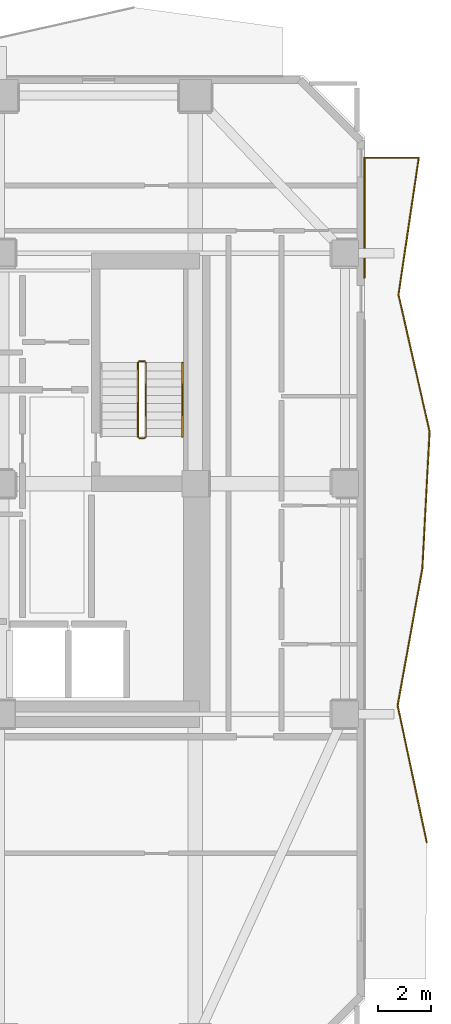
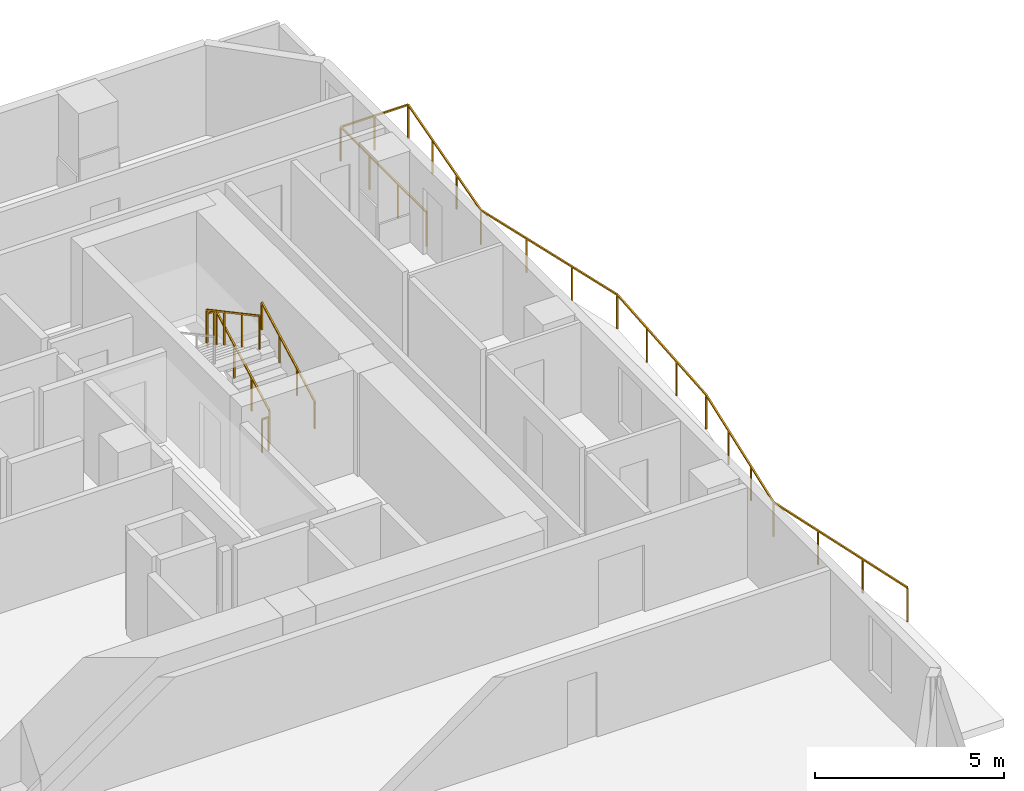
# One storey, part 9 of 10: 6 railings.
"""IFC4 building model written with IfcOpenShell, lengths in metres."""

from ifc_helpers import new_model, si_unit, direction, frame, origin, origin_2d, place, context, subcontext, project, spatial, rectangle, extrude, material, type_object, element, save


model = new_model("IFC4")

# Units and contexts
model_context = context("Model", 3, precision=1e-05, world=origin(), true_north=direction((0.0, 1.0)))
body_context = subcontext(model_context, "Body", "Model", "MODEL_VIEW")
ifc_project = project(units=[si_unit("LENGTHUNIT", "METRE"), si_unit("AREAUNIT", "SQUARE_METRE"), si_unit("VOLUMEUNIT", "CUBIC_METRE"), si_unit("PLANEANGLEUNIT", "RADIAN"), si_unit("MASSUNIT", "GRAM", prefix="KILO")], contexts=[model_context])

# Site, building, storey
site_placement = place(None, origin())
site = spatial("IfcSite", under=ifc_project, at=site_placement, CompositionType="ELEMENT")
building_placement = place(site_placement, origin())
building = spatial("IfcBuilding", under=site, at=building_placement, Name="Solanera Arch Residences", CompositionType="ELEMENT")
storey_placement = place(building_placement, frame((0.0, 0.0, 122.679931640625)))
storey = spatial("IfcBuildingStorey", under=building, at=storey_placement, Name="L35", CompositionType="ELEMENT", Elevation=122.679931640625)

# Railings
ifc_material_1 = material(Name="Steel S355 (ASTM A992 / A572 Grade 50)", Category="steel")
railing_type_1 = type_object("IfcRailingType", Name="Balustrade Railing BL-1100", PredefinedType="BALUSTRADE", material=ifc_material_1)
railing_1_placement = place(storey_placement, frame((45.23388671875, 17.1669921875, 0.0)))
element("IfcRailing", 1, at=railing_1_placement, inside=storey, type_object=railing_type_1, Name="L35 E Balcony Balustrade 1", PredefinedType="BALUSTRADE", context=body_context, shape_type="SweptSolid", body=[
    extrude(rectangle(XDim=0.048095703125, YDim=0.048095703125, at=origin_2d()), frame((0.0, 0.0, 1.09619140625), z_axis=(-0.207880870435, 0.978154151301, 0.0), x_axis=(-0.978154151301, -0.207880870435, 0.0)), (0.0, 0.0, 1.0), 5.281494140625),
    extrude(rectangle(XDim=0.048095703125, YDim=0.048095703125, at=origin_2d()), frame((-1.097900390625, 5.166015625, 1.09619140625), z_axis=(0.177534925495, 0.984114500569, 0.0), x_axis=(-0.984114500569, 0.177534925495, 0.0)), (0.0, 0.0, 1.0), 5.25048828125),
    extrude(rectangle(XDim=0.048095703125, YDim=0.048095703125, at=origin_2d()), frame((-0.165771484375, 10.3330078125, 1.09619140625), z_axis=(0.05294020985, 0.998597683845, 0.0), x_axis=(-0.998597683845, 0.05294020985, 0.0)), (0.0, 0.0, 1.0), 5.17431640625),
    extrude(rectangle(XDim=0.048095703125, YDim=0.048095703125, at=origin_2d()), frame((0.108154296875, 15.5, 1.09619140625), z_axis=(-0.221617119916, 0.975133761163, 0.0), x_axis=(-0.975133761163, -0.221617119916, 0.0)), (0.0, 0.0, 1.0), 5.2978515625),
    extrude(rectangle(XDim=0.048095703125, YDim=0.048095703125, at=origin_2d()), frame((-1.06591796875, 20.666015625, 1.09619140625), z_axis=(0.146484290833, 0.989212996548, 0.0), x_axis=(-0.989212996548, 0.146484290833, 0.0)), (0.0, 0.0, 1.0), 5.223388671875),
    extrude(rectangle(XDim=0.048095703125, YDim=0.048095703125, at=origin_2d()), frame((-0.30078125, 25.8330078125, 1.09619140625), z_axis=(-1.0, 0.0, 0.0), x_axis=(0.0, -1.0, 0.0)), (0.0, 0.0, 1.0), 2.05322265625),
    extrude(rectangle(XDim=0.048095703125, YDim=0.048095703125, at=origin_2d()), frame((-2.35400390625, 25.8330078125, 1.09619140625), z_axis=(0.0, -1.0, 0.0), x_axis=(1.0, 0.0, 0.0)), (0.0, 0.0, 1.0), 4.52197265625),
    extrude(rectangle(XDim=0.0419921875, YDim=0.0419921875, at=origin_2d()), origin(), (0.0, 0.0, 1.0), 1.072021484375),
    extrude(rectangle(XDim=0.0419921875, YDim=0.0419921875, at=origin_2d()), frame((-0.365966796875, 1.721923828125, 0.0)), (0.0, 0.0, 1.0), 1.072021484375),
    extrude(rectangle(XDim=0.0419921875, YDim=0.0419921875, at=origin_2d()), frame((-0.73193359375, 3.444091796875, 0.0)), (0.0, 0.0, 1.0), 1.072021484375),
    extrude(rectangle(XDim=0.0419921875, YDim=0.0419921875, at=origin_2d()), frame((-1.097900390625, 5.166015625, 0.0)), (0.0, 0.0, 1.0), 1.072021484375),
    extrude(rectangle(XDim=0.0419921875, YDim=0.0419921875, at=origin_2d()), frame((-0.787109375, 6.888427734375, 0.0)), (0.0, 0.0, 1.0), 1.072021484375),
    extrude(rectangle(XDim=0.0419921875, YDim=0.0419921875, at=origin_2d()), frame((-0.4765625, 8.610595703125, 0.0)), (0.0, 0.0, 1.0), 1.072021484375),
    extrude(rectangle(XDim=0.0419921875, YDim=0.0419921875, at=origin_2d()), frame((-0.165771484375, 10.3330078125, 0.0)), (0.0, 0.0, 1.0), 1.072021484375),
    extrude(rectangle(XDim=0.0419921875, YDim=0.0419921875, at=origin_2d()), frame((-0.074462890625, 12.055419921875, 0.0)), (0.0, 0.0, 1.0), 1.072021484375),
    extrude(rectangle(XDim=0.0419921875, YDim=0.0419921875, at=origin_2d()), frame((0.016845703125, 13.777587890625, 0.0)), (0.0, 0.0, 1.0), 1.072021484375),
    extrude(rectangle(XDim=0.0419921875, YDim=0.0419921875, at=origin_2d()), frame((0.108154296875, 15.5, 0.0)), (0.0, 0.0, 1.0), 1.072021484375),
    extrude(rectangle(XDim=0.0419921875, YDim=0.0419921875, at=origin_2d()), frame((-0.283203125, 17.221923828125, 0.0)), (0.0, 0.0, 1.0), 1.072021484375),
    extrude(rectangle(XDim=0.0419921875, YDim=0.0419921875, at=origin_2d()), frame((-0.674560546875, 18.944091796875, 0.0)), (0.0, 0.0, 1.0), 1.072021484375),
    extrude(rectangle(XDim=0.0419921875, YDim=0.0419921875, at=origin_2d()), frame((-1.06591796875, 20.666015625, 0.0)), (0.0, 0.0, 1.0), 1.072021484375),
    extrude(rectangle(XDim=0.0419921875, YDim=0.0419921875, at=origin_2d()), frame((-0.810791015625, 22.388427734375, 0.0)), (0.0, 0.0, 1.0), 1.072021484375),
    extrude(rectangle(XDim=0.0419921875, YDim=0.0419921875, at=origin_2d()), frame((-0.555908203125, 24.110595703125, 0.0)), (0.0, 0.0, 1.0), 1.072021484375),
    extrude(rectangle(XDim=0.0419921875, YDim=0.0419921875, at=origin_2d()), frame((-0.30078125, 25.8330078125, 0.0)), (0.0, 0.0, 1.0), 1.072021484375),
    extrude(rectangle(XDim=0.0419921875, YDim=0.0419921875, at=origin_2d()), frame((-1.327392578125, 25.8330078125, 0.0)), (0.0, 0.0, 1.0), 1.072021484375),
    extrude(rectangle(XDim=0.0419921875, YDim=0.0419921875, at=origin_2d()), frame((-2.35400390625, 25.8330078125, 0.0)), (0.0, 0.0, 1.0), 1.072021484375),
    extrude(rectangle(XDim=0.0419921875, YDim=0.0419921875, at=origin_2d()), frame((-2.35400390625, 24.32568359375, 0.0)), (0.0, 0.0, 1.0), 1.072021484375),
    extrude(rectangle(XDim=0.0419921875, YDim=0.0419921875, at=origin_2d()), frame((-2.35400390625, 22.818359375, 0.0)), (0.0, 0.0, 1.0), 1.072021484375),
    extrude(rectangle(XDim=0.0419921875, YDim=0.0419921875, at=origin_2d()), frame((-2.35400390625, 21.31103515625, 0.0)), (0.0, 0.0, 1.0), 1.072021484375),
])
ifc_material_2 = material(Name="Steel S355 (ASTM A992 / A572 Grade 50)", Category="steel")
railing_type_2 = type_object("IfcRailingType", Name="Stair Guardrail GR-1100", PredefinedType="GUARDRAIL", material=ifc_material_2)
railing_2_placement = place(storey_placement, frame((34.6298828125, 32.47998046875, 0.151123046875)))
element("IfcRailing", 2, at=railing_2_placement, inside=storey, type_object=railing_type_2, Name="L35 ST-T2 stair guard 1", PredefinedType="GUARDRAIL", context=body_context, shape_type="SweptSolid", body=[
    extrude(rectangle(XDim=0.048095703125, YDim=0.048095703125, at=origin_2d()), frame((0.0, 0.0, 1.076171875), z_axis=(0.0, 0.881580869306, 0.472033018838), x_axis=(-1.0, 0.0, 0.0)), (0.0, 0.0, 1.0), 3.164794921875),
    extrude(rectangle(XDim=0.0419921875, YDim=0.0419921875, at=origin_2d()), origin(), (0.0, 0.0, 1.0), 1.052001953125),
    extrude(rectangle(XDim=0.0419921875, YDim=0.0419921875, at=origin_2d()), frame((0.0, 0.929931640625, 0.498046875)), (0.0, 0.0, 1.0), 1.052001953125),
    extrude(rectangle(XDim=0.0419921875, YDim=0.0419921875, at=origin_2d()), frame((0.0, 1.860107421875, 0.995849609375)), (0.0, 0.0, 1.0), 1.052001953125),
    extrude(rectangle(XDim=0.0419921875, YDim=0.0419921875, at=origin_2d()), frame((0.0, 2.7900390625, 1.493896484375)), (0.0, 0.0, 1.0), 1.052001953125),
])
railing_3_placement = place(storey_placement, frame((34.580078125, 35.320068359375, 1.64501953125)))
element("IfcRailing", 3, at=railing_3_placement, inside=storey, type_object=railing_type_2, Name="L35 ST-T2 stair guard 2", PredefinedType="GUARDRAIL", context=body_context, shape_type="SweptSolid", body=[
    extrude(rectangle(XDim=0.048095703125, YDim=0.048095703125, at=origin_2d()), frame((0.0, 0.0, 1.076171875), z_axis=(-1.0, 0.0, 0.0), x_axis=(0.0, -1.0, 0.0)), (0.0, 0.0, 1.0), 0.2001953125),
    extrude(rectangle(XDim=0.0419921875, YDim=0.0419921875, at=origin_2d()), origin(), (0.0, 0.0, 1.0), 1.052001953125),
    extrude(rectangle(XDim=0.0419921875, YDim=0.0419921875, at=origin_2d()), frame((-0.2001953125, 0.0, 0.0)), (0.0, 0.0, 1.0), 1.052001953125),
])
railing_4_placement = place(storey_placement, frame((34.330078125, 35.27001953125, 1.81103515625)))
element("IfcRailing", 4, at=railing_4_placement, inside=storey, type_object=railing_type_2, Name="L35 ST-T2 stair guard 3", PredefinedType="GUARDRAIL", context=body_context, shape_type="SweptSolid", body=[
    extrude(rectangle(XDim=0.048095703125, YDim=0.048095703125, at=origin_2d()), frame((0.0, 0.0, 1.076171875), z_axis=(0.0, -0.881548766853, 0.472092969298), x_axis=(1.0, 0.0, 0.0)), (0.0, 0.0, 1.0), 3.1650390625),
    extrude(rectangle(XDim=0.0419921875, YDim=0.0419921875, at=origin_2d()), origin(), (0.0, 0.0, 1.0), 1.052001953125),
    extrude(rectangle(XDim=0.0419921875, YDim=0.0419921875, at=origin_2d()), frame((0.0, -0.929931640625, 0.498046875)), (0.0, 0.0, 1.0), 1.052001953125),
    extrude(rectangle(XDim=0.0419921875, YDim=0.0419921875, at=origin_2d()), frame((0.0, -1.860107421875, 0.99609375)), (0.0, 0.0, 1.0), 1.052001953125),
    extrude(rectangle(XDim=0.0419921875, YDim=0.0419921875, at=origin_2d()), frame((0.0, -2.7900390625, 1.494140625)), (0.0, 0.0, 1.0), 1.052001953125),
])
railing_5_placement = place(storey_placement, frame((34.580078125, 32.429931640625, -0.014892578125)))
element("IfcRailing", 5, at=railing_5_placement, inside=storey, type_object=railing_type_2, Name="L35 ST-T2 stair guard 4", PredefinedType="GUARDRAIL", context=body_context, shape_type="SweptSolid", body=[
    extrude(rectangle(XDim=0.048095703125, YDim=0.048095703125, at=origin_2d()), frame((0.0, 0.0, 1.076171875), z_axis=(-1.0, 0.0, 0.0), x_axis=(0.0, -1.0, 0.0)), (0.0, 0.0, 1.0), 0.2001953125),
    extrude(rectangle(XDim=0.0419921875, YDim=0.0419921875, at=origin_2d()), origin(), (0.0, 0.0, 1.0), 1.052001953125),
    extrude(rectangle(XDim=0.0419921875, YDim=0.0419921875, at=origin_2d()), frame((-0.2001953125, 0.0, 0.0)), (0.0, 0.0, 1.0), 1.052001953125),
])
ifc_material_3 = material(Name="Steel S355 (ASTM A992 / A572 Grade 50)", Category="steel")
railing_type_3 = type_object("IfcRailingType", Name="Stair Wall Handrail HR-920", PredefinedType="HANDRAIL", material=ifc_material_3)
railing_6_placement = place(storey_placement, frame((36.010009765625, 32.47998046875, 0.166015625)))
element("IfcRailing", 6, at=railing_6_placement, inside=storey, type_object=railing_type_3, Name="L35 ST-T2 stair handrail 1", PredefinedType="HANDRAIL", context=body_context, shape_type="SweptSolid", body=[
    extrude(rectangle(XDim=0.048095703125, YDim=0.048095703125, at=origin_2d()), frame((0.0, 0.0, 0.8759765625), z_axis=(0.0, 0.881548766853, 0.472092969298), x_axis=(-1.0, 0.0, 0.0)), (0.0, 0.0, 1.0), 3.1650390625),
    extrude(rectangle(XDim=0.0419921875, YDim=0.0419921875, at=origin_2d()), origin(), (0.0, 0.0, 1.0), 0.851806640625),
    extrude(rectangle(XDim=0.0419921875, YDim=0.0419921875, at=origin_2d()), frame((0.0, 0.929931640625, 0.498046875)), (0.0, 0.0, 1.0), 0.851806640625),
    extrude(rectangle(XDim=0.0419921875, YDim=0.0419921875, at=origin_2d()), frame((0.0, 1.860107421875, 0.99609375)), (0.0, 0.0, 1.0), 0.851806640625),
    extrude(rectangle(XDim=0.0419921875, YDim=0.0419921875, at=origin_2d()), frame((0.0, 2.7900390625, 1.494140625)), (0.0, 0.0, 1.0), 0.851806640625),
])

save(model, "model.ifc")
